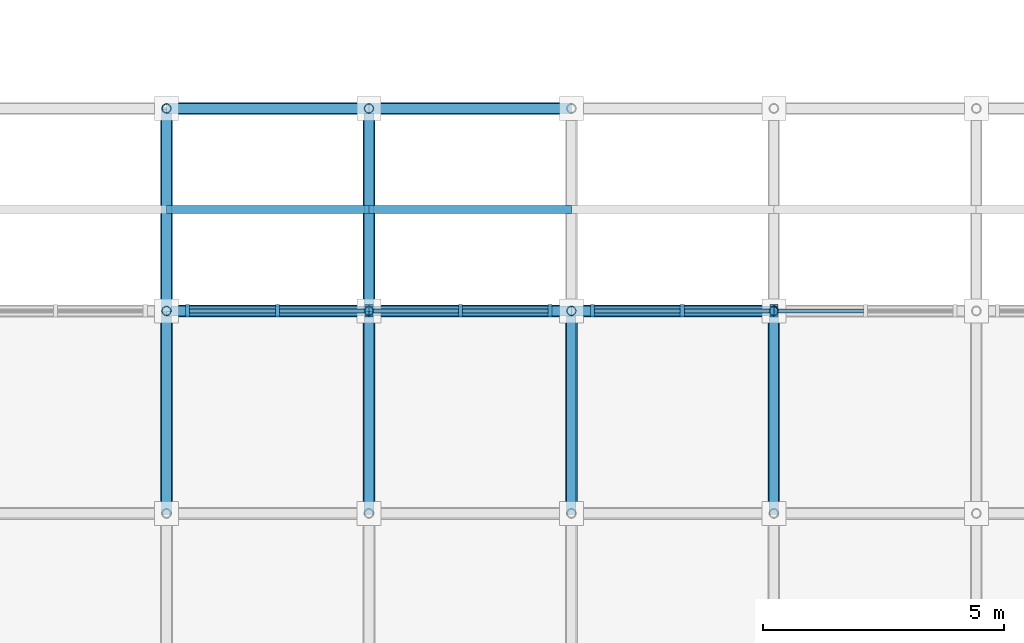
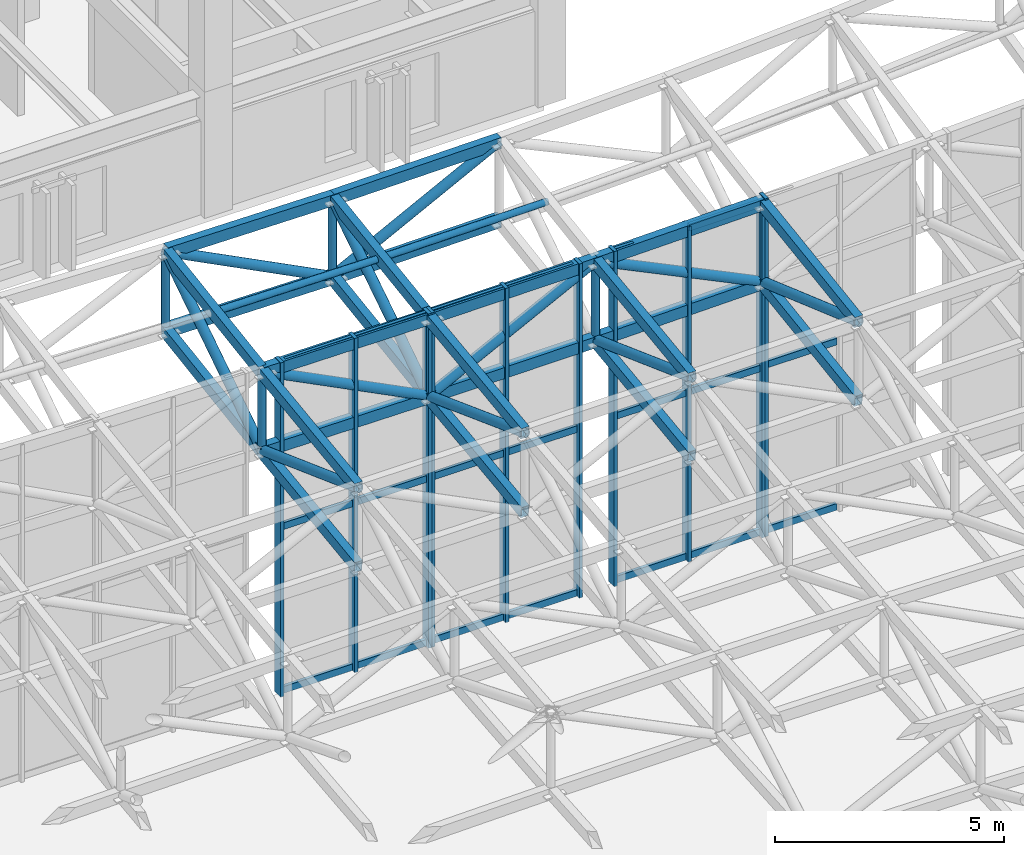
# One storey, part 56 of 123: 71 members, 4 elements without a shape of their own.
"""IFC4 building model written with IfcOpenShell, lengths in metres."""

from ifc_helpers import new_model, si_unit, direction, frame, origin, origin_2d, place, context, subcontext, project, spatial, rectangle, hollow_rectangle, hollow_circle, extrude, material, material_profile, profile_set, type_object, element, aggregate, save


model = new_model("IFC4")

# Units and contexts
model_context = context("Model", 3, precision=1e-05, world=origin(), true_north=direction((0.0, 1.0)))
body_context = subcontext(model_context, "Body", "Model", "MODEL_VIEW")
ifc_project = project(units=[si_unit("LENGTHUNIT", "METRE"), si_unit("AREAUNIT", "SQUARE_METRE"), si_unit("VOLUMEUNIT", "CUBIC_METRE"), si_unit("PLANEANGLEUNIT", "RADIAN"), si_unit("MASSUNIT", "GRAM", prefix="KILO")], contexts=[model_context])

# Site, building, storey
site_placement = place(None, origin())
site = spatial("IfcSite", under=ifc_project, at=site_placement, CompositionType="ELEMENT")
building_placement = place(site_placement, origin())
building = spatial("IfcBuilding", under=site, at=building_placement, Name="Cumbredor Promenade Congress Hotel", CompositionType="ELEMENT")
storey_placement = place(building_placement, frame((0.0, 0.0, 11.760009765625)))
storey = spatial("IfcBuildingStorey", under=building, at=storey_placement, Name="L03", CompositionType="ELEMENT", Elevation=11.760009765625)

# Members
ifc_material_1 = material(Name="Steel ASTM A500 Grade C", Category="steel")
ifc_material_profile_1 = material_profile(ifc_material_1, hollow_rectangle(XDim=0.199951171875, YDim=0.300048828125, WallThickness=0.012451171875, at=origin_2d()), Name="HSS 300x200x12.5")
ifc_profile_set_1 = profile_set([ifc_material_profile_1], Name="Steel ASTM A500 Grade C")
member_type_1 = type_object("IfcMemberType", Name="Ballroom Roof Space Frame Chord", PredefinedType="CHORD", material=ifc_profile_set_1)
for number, where, z_axis, x_axis, name in (
    (1, (159.60009765625, 67.199951171875, 8.7333984375), (0.999983105295, 0.0, -0.005812841396), (0.0, 1.0, 0.0), "Grand Ballroom Pavilion X Top Chord 6.17"),
    (2, (159.60009765625, 67.199951171875, 6.63330078125), (0.999983105295, 0.0, -0.005812841396), (0.0, 1.0, 0.0), "Grand Ballroom Pavilion X Bottom Chord 6.17"),
    (3, (163.800048828125, 67.199951171875, 8.708984375), (0.999983105295, 0.0, 0.005812841396), (0.0, 1.0, 0.0), "Grand Ballroom Pavilion X Top Chord 7.17"),
    (4, (163.800048828125, 67.199951171875, 6.60888671875), (0.999983105295, 0.0, 0.005812841396), (0.0, 1.0, 0.0), "Grand Ballroom Pavilion X Bottom Chord 7.17"),
):
    element("IfcMember", number, at=place(storey_placement, frame(where, z_axis=z_axis, x_axis=x_axis)), inside=storey, type_object=member_type_1, Name=name, PredefinedType="CHORD", context=body_context, shape_type="SweptSolid", body=[
        extrude(hollow_rectangle(XDim=0.199951171875, YDim=0.300048828125, WallThickness=0.012451171875, at=origin_2d()), origin(), (0.0, 0.0, 1.0), 4.199951171875),
    ])
for number, where, z_axis, x_axis, name in (
    (5, (168.0, 67.199951171875, 8.7333984375), (0.99984492355, 0.0, 0.017610475605), (0.0, 1.0, 0.0), "Grand Ballroom Pavilion X Top Chord 8.17"),
    (6, (168.0, 67.199951171875, 6.63330078125), (0.99984492355, 0.0, 0.017610475605), (0.0, 1.0, 0.0), "Grand Ballroom Pavilion X Bottom Chord 8.17"),
):
    element("IfcMember", number, at=place(storey_placement, frame(where, z_axis=z_axis, x_axis=x_axis)), inside=storey, type_object=member_type_1, Name=name, PredefinedType="CHORD", context=body_context, shape_type="SweptSolid", body=[
        extrude(hollow_rectangle(XDim=0.199951171875, YDim=0.300048828125, WallThickness=0.012451171875, at=origin_2d()), origin(), (0.0, 0.0, 1.0), 4.20068359375),
    ])
for number, where, z_axis, x_axis, name in (
    (7, (159.60009765625, 71.39990234375, 9.376220703125), (0.999937723598, 0.0, -0.011160148982), (0.0, 1.0, 0.0), "Grand Ballroom Pavilion X Top Chord 6.18"),
    (8, (159.60009765625, 71.39990234375, 7.276123046875), (0.999937723598, 0.0, -0.011160148982), (0.0, 1.0, 0.0), "Grand Ballroom Pavilion X Bottom Chord 6.18"),
    (9, (163.800048828125, 71.39990234375, 9.329345703125), (0.999937723598, 0.0, 0.011160148982), (0.0, 1.0, 0.0), "Grand Ballroom Pavilion X Top Chord 7.18"),
    (10, (163.800048828125, 71.39990234375, 7.229248046875), (0.999937723598, 0.0, 0.011160148982), (0.0, 1.0, 0.0), "Grand Ballroom Pavilion X Bottom Chord 7.18"),
):
    element("IfcMember", number, at=place(storey_placement, frame(where, z_axis=z_axis, x_axis=x_axis)), inside=storey, type_object=member_type_1, Name=name, PredefinedType="CHORD", context=body_context, shape_type="SweptSolid", body=[
        extrude(hollow_rectangle(XDim=0.199951171875, YDim=0.300048828125, WallThickness=0.012451171875, at=origin_2d()), origin(), (0.0, 0.0, 1.0), 4.2001953125),
    ])
for number, where, z_axis, x_axis, name in (
    (11, (159.60009765625, 63.0, 8.17236328125), (0.0, 0.99119566578, 0.13240525722), (-1.0, 0.0, 0.0), "Grand Ballroom Pavilion Y Top Chord 6.16"),
    (12, (159.60009765625, 63.0, 6.072509765625), (0.0, 0.991203225928, 0.13234864907), (-1.0, 0.0, 0.0), "Grand Ballroom Pavilion Y Bottom Chord 6.16"),
):
    element("IfcMember", number, at=place(storey_placement, frame(where, z_axis=z_axis, x_axis=x_axis)), inside=storey, type_object=member_type_1, Name=name, PredefinedType="CHORD", context=body_context, shape_type="SweptSolid", body=[
        extrude(hollow_rectangle(XDim=0.199951171875, YDim=0.300048828125, WallThickness=0.012451171875, at=origin_2d()), origin(), (0.0, 0.0, 1.0), 4.2373046875),
    ])
for number, where, z_axis, x_axis, name in (
    (13, (159.60009765625, 67.199951171875, 8.7333984375), (0.0, 0.988488979829, 0.151292884025), (-1.0, 0.0, 0.0), "Grand Ballroom Pavilion Y Top Chord 6.17"),
    (14, (159.60009765625, 67.199951171875, 6.63330078125), (0.0, 0.988488979829, 0.151292884025), (-1.0, 0.0, 0.0), "Grand Ballroom Pavilion Y Bottom Chord 6.17"),
):
    element("IfcMember", number, at=place(storey_placement, frame(where, z_axis=z_axis, x_axis=x_axis)), inside=storey, type_object=member_type_1, Name=name, PredefinedType="CHORD", context=body_context, shape_type="SweptSolid", body=[
        extrude(hollow_rectangle(XDim=0.199951171875, YDim=0.300048828125, WallThickness=0.012451171875, at=origin_2d()), origin(), (0.0, 0.0, 1.0), 4.248779296875),
    ])
for number, where, z_axis, x_axis, name in (
    (15, (163.800048828125, 63.0, 8.167236328125), (0.0, 0.991783294567, 0.127929264119), (-1.0, 0.0, 0.0), "Grand Ballroom Pavilion Y Top Chord 7.16"),
    (16, (163.800048828125, 63.0, 6.067138671875), (0.0, 0.991783294567, 0.127929264119), (-1.0, 0.0, 0.0), "Grand Ballroom Pavilion Y Bottom Chord 7.16"),
):
    element("IfcMember", number, at=place(storey_placement, frame(where, z_axis=z_axis, x_axis=x_axis)), inside=storey, type_object=member_type_1, Name=name, PredefinedType="CHORD", context=body_context, shape_type="SweptSolid", body=[
        extrude(hollow_rectangle(XDim=0.199951171875, YDim=0.300048828125, WallThickness=0.012451171875, at=origin_2d()), origin(), (0.0, 0.0, 1.0), 4.23486328125),
    ])
for number, where, z_axis, x_axis, name in (
    (17, (163.800048828125, 67.199951171875, 8.708984375), (0.0, 0.989266664707, 0.146121408767), (-1.0, 0.0, 0.0), "Grand Ballroom Pavilion Y Top Chord 7.17"),
    (18, (163.800048828125, 67.199951171875, 6.60888671875), (0.0, 0.989266664707, 0.146121408767), (-1.0, 0.0, 0.0), "Grand Ballroom Pavilion Y Bottom Chord 7.17"),
):
    element("IfcMember", number, at=place(storey_placement, frame(where, z_axis=z_axis, x_axis=x_axis)), inside=storey, type_object=member_type_1, Name=name, PredefinedType="CHORD", context=body_context, shape_type="SweptSolid", body=[
        extrude(hollow_rectangle(XDim=0.199951171875, YDim=0.300048828125, WallThickness=0.012451171875, at=origin_2d()), origin(), (0.0, 0.0, 1.0), 4.24560546875),
    ])
for number, where, z_axis, x_axis, name in (
    (19, (168.0, 63.0, 8.17236328125), (0.0, 0.99119566578, 0.13240525722), (-1.0, 0.0, 0.0), "Grand Ballroom Pavilion Y Top Chord 8.16"),
    (20, (168.0, 63.0, 6.072509765625), (0.0, 0.991203225928, 0.13234864907), (-1.0, 0.0, 0.0), "Grand Ballroom Pavilion Y Bottom Chord 8.16"),
):
    element("IfcMember", number, at=place(storey_placement, frame(where, z_axis=z_axis, x_axis=x_axis)), inside=storey, type_object=member_type_1, Name=name, PredefinedType="CHORD", context=body_context, shape_type="SweptSolid", body=[
        extrude(hollow_rectangle(XDim=0.199951171875, YDim=0.300048828125, WallThickness=0.012451171875, at=origin_2d()), origin(), (0.0, 0.0, 1.0), 4.2373046875),
    ])
for number, where, z_axis, x_axis, name in (
    (21, (172.199951171875, 63.0, 8.1884765625), (0.0, 0.989316485131, 0.145783717364), (-1.0, 0.0, 0.0), "Grand Ballroom Pavilion Y Top Chord 9.16"),
    (22, (172.199951171875, 63.0, 6.088623046875), (0.0, 0.989324777815, 0.145727430505), (-1.0, 0.0, 0.0), "Grand Ballroom Pavilion Y Bottom Chord 9.16"),
):
    element("IfcMember", number, at=place(storey_placement, frame(where, z_axis=z_axis, x_axis=x_axis)), inside=storey, type_object=member_type_1, Name=name, PredefinedType="CHORD", context=body_context, shape_type="SweptSolid", body=[
        extrude(hollow_rectangle(XDim=0.199951171875, YDim=0.300048828125, WallThickness=0.012451171875, at=origin_2d()), origin(), (0.0, 0.0, 1.0), 4.245361328125),
    ])

# Curtain wall, members
ifc_material_2 = material(Name="Thermally broken anodized aluminium and low-E glass", Category="aluminium")
curtain_wall_type = type_object("IfcCurtainWallType", Name="Stepped Pavilion Clerestory Curtain Wall CW-06", PredefinedType="NOTDEFINED", material=ifc_material_2)
curtain_wall_1_placement = place(storey_placement, origin())
curtain_wall_1 = element("IfcCurtainWall", 23, at=curtain_wall_1_placement, inside=storey, type_object=curtain_wall_type, Name="Grand Ballroom Pavilion N Glazed Clerestory 5", PredefinedType="NOTDEFINED")
ifc_material_3 = material(Name="Thermally broken anodized aluminium", Category="aluminium")
ifc_material_profile_2 = material_profile(ifc_material_3, rectangle(XDim=0.0849609375, YDim=0.260009765625, at=origin_2d()), Name="ALU MULLION CLERESTORY 85x260")
ifc_profile_set_2 = profile_set([ifc_material_profile_2], Name="Thermally broken anodized aluminium")
member_type_2 = type_object("IfcMemberType", Name="Curtain Wall Mullion ML-04", PredefinedType="MULLION", material=ifc_profile_set_2)
member_1_placement = place(storey_placement, frame((160.0400390625, 67.199951171875, -0.01806640625), z_axis=(0.0, 0.0, 1.0), x_axis=(1.0, 0.0, 0.0)))
member_1 = element("IfcMember", 24, at=member_1_placement, type_object=member_type_2, Name="Grand Ballroom Pavilion N Glazed Clerestory 5 Mullion 1", PredefinedType="MULLION", context=body_context, shape_type="SweptSolid", body=[
    extrude(rectangle(XDim=0.0849609375, YDim=0.260009765625, at=origin_2d()), origin(), (0.0, 0.0, 1.0), 8.903076171875),
])
member_2_placement = place(storey_placement, frame((161.89990234375, 67.199951171875, -0.01806640625), z_axis=(0.0, 0.0, 1.0), x_axis=(1.0, 0.0, 0.0)))
member_2 = element("IfcMember", 25, at=member_2_placement, type_object=member_type_2, Name="Grand Ballroom Pavilion N Glazed Clerestory 5 Mullion 2", PredefinedType="MULLION", context=body_context, shape_type="SweptSolid", body=[
    extrude(rectangle(XDim=0.0849609375, YDim=0.260009765625, at=origin_2d()), origin(), (0.0, 0.0, 1.0), 8.903076171875),
])
member_3_placement = place(storey_placement, frame((163.760009765625, 67.199951171875, -0.01806640625), z_axis=(0.0, 0.0, 1.0), x_axis=(1.0, 0.0, 0.0)))
member_3 = element("IfcMember", 26, at=member_3_placement, type_object=member_type_2, Name="Grand Ballroom Pavilion N Glazed Clerestory 5 Mullion 3", PredefinedType="MULLION", context=body_context, shape_type="SweptSolid", body=[
    extrude(rectangle(XDim=0.0849609375, YDim=0.260009765625, at=origin_2d()), origin(), (0.0, 0.0, 1.0), 8.903076171875),
])

curtain_wall_2_placement = place(storey_placement, origin())
curtain_wall_2 = element("IfcCurtainWall", 27, at=curtain_wall_2_placement, inside=storey, type_object=curtain_wall_type, Name="Grand Ballroom Pavilion N Glazed Clerestory 6", PredefinedType="NOTDEFINED")
member_4_placement = place(storey_placement, frame((163.840087890625, 67.199951171875, -0.01806640625), z_axis=(0.0, 0.0, 1.0), x_axis=(1.0, 0.0, 0.0)))
member_4 = element("IfcMember", 28, at=member_4_placement, type_object=member_type_2, Name="Grand Ballroom Pavilion N Glazed Clerestory 6 Mullion 1", PredefinedType="MULLION", context=body_context, shape_type="SweptSolid", body=[
    extrude(rectangle(XDim=0.0849609375, YDim=0.260009765625, at=origin_2d()), origin(), (0.0, 0.0, 1.0), 8.903076171875),
])
member_5_placement = place(storey_placement, frame((165.699951171875, 67.199951171875, -0.01806640625), z_axis=(0.0, 0.0, 1.0), x_axis=(1.0, 0.0, 0.0)))
member_5 = element("IfcMember", 29, at=member_5_placement, type_object=member_type_2, Name="Grand Ballroom Pavilion N Glazed Clerestory 6 Mullion 2", PredefinedType="MULLION", context=body_context, shape_type="SweptSolid", body=[
    extrude(rectangle(XDim=0.0849609375, YDim=0.260009765625, at=origin_2d()), origin(), (0.0, 0.0, 1.0), 8.903076171875),
])
member_6_placement = place(storey_placement, frame((167.56005859375, 67.199951171875, -0.01806640625), z_axis=(0.0, 0.0, 1.0), x_axis=(1.0, 0.0, 0.0)))
member_6 = element("IfcMember", 30, at=member_6_placement, type_object=member_type_2, Name="Grand Ballroom Pavilion N Glazed Clerestory 6 Mullion 3", PredefinedType="MULLION", context=body_context, shape_type="SweptSolid", body=[
    extrude(rectangle(XDim=0.0849609375, YDim=0.260009765625, at=origin_2d()), origin(), (0.0, 0.0, 1.0), 8.903076171875),
])

curtain_wall_3_placement = place(storey_placement, origin())
curtain_wall_3 = element("IfcCurtainWall", 31, at=curtain_wall_3_placement, inside=storey, type_object=curtain_wall_type, Name="Grand Ballroom Pavilion N Glazed Clerestory 7", PredefinedType="NOTDEFINED")
member_7_placement = place(storey_placement, frame((168.43994140625, 67.199951171875, -0.01806640625), z_axis=(0.0, 0.0, 1.0), x_axis=(1.0, 0.0, 0.0)))
member_7 = element("IfcMember", 32, at=member_7_placement, type_object=member_type_2, Name="Grand Ballroom Pavilion N Glazed Clerestory 7 Mullion 1", PredefinedType="MULLION", context=body_context, shape_type="SweptSolid", body=[
    extrude(rectangle(XDim=0.0849609375, YDim=0.260009765625, at=origin_2d()), origin(), (0.0, 0.0, 1.0), 8.927490234375),
])
member_8_placement = place(storey_placement, frame((170.300048828125, 67.199951171875, -0.01806640625), z_axis=(0.0, 0.0, 1.0), x_axis=(1.0, 0.0, 0.0)))
member_8 = element("IfcMember", 33, at=member_8_placement, type_object=member_type_2, Name="Grand Ballroom Pavilion N Glazed Clerestory 7 Mullion 2", PredefinedType="MULLION", context=body_context, shape_type="SweptSolid", body=[
    extrude(rectangle(XDim=0.0849609375, YDim=0.260009765625, at=origin_2d()), origin(), (0.0, 0.0, 1.0), 8.927490234375),
])
member_9_placement = place(storey_placement, frame((172.159912109375, 67.199951171875, -0.01806640625), z_axis=(0.0, 0.0, 1.0), x_axis=(1.0, 0.0, 0.0)))
member_9 = element("IfcMember", 34, at=member_9_placement, type_object=member_type_2, Name="Grand Ballroom Pavilion N Glazed Clerestory 7 Mullion 3", PredefinedType="MULLION", context=body_context, shape_type="SweptSolid", body=[
    extrude(rectangle(XDim=0.0849609375, YDim=0.260009765625, at=origin_2d()), origin(), (0.0, 0.0, 1.0), 8.927490234375),
])

# Curtain wall, member
curtain_wall_4_placement = place(storey_placement, origin())
curtain_wall_4 = element("IfcCurtainWall", 35, at=curtain_wall_4_placement, inside=storey, type_object=curtain_wall_type, Name="Grand Ballroom Pavilion N Glazed Clerestory 8", PredefinedType="NOTDEFINED")
member_10_placement = place(storey_placement, frame((172.239990234375, 67.199951171875, -0.01806640625), z_axis=(0.0, 0.0, 1.0), x_axis=(1.0, 0.0, 0.0)))
member_10 = element("IfcMember", 36, at=member_10_placement, type_object=member_type_2, Name="Grand Ballroom Pavilion N Glazed Clerestory 8 Mullion 1", PredefinedType="MULLION", context=body_context, shape_type="SweptSolid", body=[
    extrude(rectangle(XDim=0.0849609375, YDim=0.260009765625, at=origin_2d()), origin(), (0.0, 0.0, 1.0), 9.00146484375),
])

# Member
ifc_material_profile_3 = material_profile(ifc_material_3, rectangle(XDim=0.080078125, YDim=0.179931640625, at=origin_2d()), Name="ALU TRANSOM 80x180")
ifc_profile_set_3 = profile_set([ifc_material_profile_3], Name="Thermally broken anodized aluminium")
member_type_3 = type_object("IfcMemberType", Name="Curtain Wall Transom TR-03", PredefinedType="USERDEFINED", material=ifc_profile_set_3)
member_11_placement = place(storey_placement, frame((160.08251953125, 67.199951171875, 0.080078125), z_axis=(1.0, 0.0, 0.0), x_axis=(0.0, 1.0, 0.0)))
member_11 = element("IfcMember", 37, at=member_11_placement, type_object=member_type_3, Name="Grand Ballroom Pavilion N Glazed Clerestory 5 Transom 1.1", ObjectType="TRANSOM", PredefinedType="USERDEFINED", context=body_context, shape_type="SweptSolid", body=[
    extrude(rectangle(XDim=0.080078125, YDim=0.179931640625, at=origin_2d()), origin(), (0.0, 0.0, 1.0), 1.77490234375),
])

member_12_placement = place(storey_placement, frame((160.08251953125, 67.199951171875, 4.43994140625), z_axis=(1.0, 0.0, 0.0), x_axis=(0.0, 1.0, 0.0)))
member_12 = element("IfcMember", 38, at=member_12_placement, type_object=member_type_3, Name="Grand Ballroom Pavilion N Glazed Clerestory 5 Transom 1.2", ObjectType="TRANSOM", PredefinedType="USERDEFINED", context=body_context, shape_type="SweptSolid", body=[
    extrude(rectangle(XDim=0.080078125, YDim=0.179931640625, at=origin_2d()), origin(), (0.0, 0.0, 1.0), 1.77490234375),
])

member_13_placement = place(storey_placement, frame((160.08251953125, 67.199951171875, 8.7900390625), z_axis=(1.0, 0.0, 0.0), x_axis=(0.0, 1.0, 0.0)))
member_13 = element("IfcMember", 39, at=member_13_placement, type_object=member_type_3, Name="Grand Ballroom Pavilion N Glazed Clerestory 5 Transom 1.3", ObjectType="TRANSOM", PredefinedType="USERDEFINED", context=body_context, shape_type="SweptSolid", body=[
    extrude(rectangle(XDim=0.080078125, YDim=0.179931640625, at=origin_2d()), origin(), (0.0, 0.0, 1.0), 1.77490234375),
])

member_14_placement = place(storey_placement, frame((161.9423828125, 67.199951171875, 0.080078125), z_axis=(1.0, 0.0, 0.0), x_axis=(0.0, 1.0, 0.0)))
member_14 = element("IfcMember", 40, at=member_14_placement, type_object=member_type_3, Name="Grand Ballroom Pavilion N Glazed Clerestory 5 Transom 2.1", ObjectType="TRANSOM", PredefinedType="USERDEFINED", context=body_context, shape_type="SweptSolid", body=[
    extrude(rectangle(XDim=0.080078125, YDim=0.179931640625, at=origin_2d()), origin(), (0.0, 0.0, 1.0), 1.775146484375),
])

member_15_placement = place(storey_placement, frame((161.9423828125, 67.199951171875, 4.43994140625), z_axis=(1.0, 0.0, 0.0), x_axis=(0.0, 1.0, 0.0)))
member_15 = element("IfcMember", 41, at=member_15_placement, type_object=member_type_3, Name="Grand Ballroom Pavilion N Glazed Clerestory 5 Transom 2.2", ObjectType="TRANSOM", PredefinedType="USERDEFINED", context=body_context, shape_type="SweptSolid", body=[
    extrude(rectangle(XDim=0.080078125, YDim=0.179931640625, at=origin_2d()), origin(), (0.0, 0.0, 1.0), 1.775146484375),
])

member_16_placement = place(storey_placement, frame((161.9423828125, 67.199951171875, 8.7900390625), z_axis=(1.0, 0.0, 0.0), x_axis=(0.0, 1.0, 0.0)))
member_16 = element("IfcMember", 42, at=member_16_placement, type_object=member_type_3, Name="Grand Ballroom Pavilion N Glazed Clerestory 5 Transom 2.3", ObjectType="TRANSOM", PredefinedType="USERDEFINED", context=body_context, shape_type="SweptSolid", body=[
    extrude(rectangle(XDim=0.080078125, YDim=0.179931640625, at=origin_2d()), origin(), (0.0, 0.0, 1.0), 1.775146484375),
])

aggregate(curtain_wall_1, [member_1, member_2, member_3, member_11, member_12, member_13, member_14, member_15, member_16])

member_17_placement = place(storey_placement, frame((163.882568359375, 67.199951171875, 0.080078125), z_axis=(1.0, 0.0, 0.0), x_axis=(0.0, 1.0, 0.0)))
member_17 = element("IfcMember", 43, at=member_17_placement, type_object=member_type_3, Name="Grand Ballroom Pavilion N Glazed Clerestory 6 Transom 1.1", ObjectType="TRANSOM", PredefinedType="USERDEFINED", context=body_context, shape_type="SweptSolid", body=[
    extrude(rectangle(XDim=0.080078125, YDim=0.179931640625, at=origin_2d()), origin(), (0.0, 0.0, 1.0), 1.77490234375),
])

member_18_placement = place(storey_placement, frame((163.882568359375, 67.199951171875, 4.43994140625), z_axis=(1.0, 0.0, 0.0), x_axis=(0.0, 1.0, 0.0)))
member_18 = element("IfcMember", 44, at=member_18_placement, type_object=member_type_3, Name="Grand Ballroom Pavilion N Glazed Clerestory 6 Transom 1.2", ObjectType="TRANSOM", PredefinedType="USERDEFINED", context=body_context, shape_type="SweptSolid", body=[
    extrude(rectangle(XDim=0.080078125, YDim=0.179931640625, at=origin_2d()), origin(), (0.0, 0.0, 1.0), 1.77490234375),
])

member_19_placement = place(storey_placement, frame((163.882568359375, 67.199951171875, 8.7900390625), z_axis=(1.0, 0.0, 0.0), x_axis=(0.0, 1.0, 0.0)))
member_19 = element("IfcMember", 45, at=member_19_placement, type_object=member_type_3, Name="Grand Ballroom Pavilion N Glazed Clerestory 6 Transom 1.3", ObjectType="TRANSOM", PredefinedType="USERDEFINED", context=body_context, shape_type="SweptSolid", body=[
    extrude(rectangle(XDim=0.080078125, YDim=0.179931640625, at=origin_2d()), origin(), (0.0, 0.0, 1.0), 1.77490234375),
])

member_20_placement = place(storey_placement, frame((165.742431640625, 67.199951171875, 0.080078125), z_axis=(1.0, 0.0, 0.0), x_axis=(0.0, 1.0, 0.0)))
member_20 = element("IfcMember", 46, at=member_20_placement, type_object=member_type_3, Name="Grand Ballroom Pavilion N Glazed Clerestory 6 Transom 2.1", ObjectType="TRANSOM", PredefinedType="USERDEFINED", context=body_context, shape_type="SweptSolid", body=[
    extrude(rectangle(XDim=0.080078125, YDim=0.179931640625, at=origin_2d()), origin(), (0.0, 0.0, 1.0), 1.775146484375),
])

member_21_placement = place(storey_placement, frame((165.742431640625, 67.199951171875, 4.43994140625), z_axis=(1.0, 0.0, 0.0), x_axis=(0.0, 1.0, 0.0)))
member_21 = element("IfcMember", 47, at=member_21_placement, type_object=member_type_3, Name="Grand Ballroom Pavilion N Glazed Clerestory 6 Transom 2.2", ObjectType="TRANSOM", PredefinedType="USERDEFINED", context=body_context, shape_type="SweptSolid", body=[
    extrude(rectangle(XDim=0.080078125, YDim=0.179931640625, at=origin_2d()), origin(), (0.0, 0.0, 1.0), 1.775146484375),
])

member_22_placement = place(storey_placement, frame((165.742431640625, 67.199951171875, 8.7900390625), z_axis=(1.0, 0.0, 0.0), x_axis=(0.0, 1.0, 0.0)))
member_22 = element("IfcMember", 48, at=member_22_placement, type_object=member_type_3, Name="Grand Ballroom Pavilion N Glazed Clerestory 6 Transom 2.3", ObjectType="TRANSOM", PredefinedType="USERDEFINED", context=body_context, shape_type="SweptSolid", body=[
    extrude(rectangle(XDim=0.080078125, YDim=0.179931640625, at=origin_2d()), origin(), (0.0, 0.0, 1.0), 1.775146484375),
])

aggregate(curtain_wall_2, [member_4, member_5, member_6, member_17, member_18, member_19, member_20, member_21, member_22])

member_23_placement = place(storey_placement, frame((168.482421875, 67.199951171875, 0.080078125), z_axis=(1.0, 0.0, 0.0), x_axis=(0.0, 1.0, 0.0)))
member_23 = element("IfcMember", 49, at=member_23_placement, type_object=member_type_3, Name="Grand Ballroom Pavilion N Glazed Clerestory 7 Transom 1.1", ObjectType="TRANSOM", PredefinedType="USERDEFINED", context=body_context, shape_type="SweptSolid", body=[
    extrude(rectangle(XDim=0.080078125, YDim=0.179931640625, at=origin_2d()), origin(), (0.0, 0.0, 1.0), 1.775146484375),
])

member_24_placement = place(storey_placement, frame((168.482421875, 67.199951171875, 4.43994140625), z_axis=(1.0, 0.0, 0.0), x_axis=(0.0, 1.0, 0.0)))
member_24 = element("IfcMember", 50, at=member_24_placement, type_object=member_type_3, Name="Grand Ballroom Pavilion N Glazed Clerestory 7 Transom 1.2", ObjectType="TRANSOM", PredefinedType="USERDEFINED", context=body_context, shape_type="SweptSolid", body=[
    extrude(rectangle(XDim=0.080078125, YDim=0.179931640625, at=origin_2d()), origin(), (0.0, 0.0, 1.0), 1.775146484375),
])

member_25_placement = place(storey_placement, frame((168.482421875, 67.199951171875, 8.81005859375), z_axis=(1.0, 0.0, 0.0), x_axis=(0.0, 1.0, 0.0)))
member_25 = element("IfcMember", 51, at=member_25_placement, type_object=member_type_3, Name="Grand Ballroom Pavilion N Glazed Clerestory 7 Transom 1.3", ObjectType="TRANSOM", PredefinedType="USERDEFINED", context=body_context, shape_type="SweptSolid", body=[
    extrude(rectangle(XDim=0.080078125, YDim=0.179931640625, at=origin_2d()), origin(), (0.0, 0.0, 1.0), 1.775146484375),
])

member_26_placement = place(storey_placement, frame((170.342529296875, 67.199951171875, 0.080078125), z_axis=(1.0, 0.0, 0.0), x_axis=(0.0, 1.0, 0.0)))
member_26 = element("IfcMember", 52, at=member_26_placement, type_object=member_type_3, Name="Grand Ballroom Pavilion N Glazed Clerestory 7 Transom 2.1", ObjectType="TRANSOM", PredefinedType="USERDEFINED", context=body_context, shape_type="SweptSolid", body=[
    extrude(rectangle(XDim=0.080078125, YDim=0.179931640625, at=origin_2d()), origin(), (0.0, 0.0, 1.0), 1.77490234375),
])

member_27_placement = place(storey_placement, frame((170.342529296875, 67.199951171875, 4.43994140625), z_axis=(1.0, 0.0, 0.0), x_axis=(0.0, 1.0, 0.0)))
member_27 = element("IfcMember", 53, at=member_27_placement, type_object=member_type_3, Name="Grand Ballroom Pavilion N Glazed Clerestory 7 Transom 2.2", ObjectType="TRANSOM", PredefinedType="USERDEFINED", context=body_context, shape_type="SweptSolid", body=[
    extrude(rectangle(XDim=0.080078125, YDim=0.179931640625, at=origin_2d()), origin(), (0.0, 0.0, 1.0), 1.77490234375),
])

member_28_placement = place(storey_placement, frame((170.342529296875, 67.199951171875, 8.81005859375), z_axis=(1.0, 0.0, 0.0), x_axis=(0.0, 1.0, 0.0)))
member_28 = element("IfcMember", 54, at=member_28_placement, type_object=member_type_3, Name="Grand Ballroom Pavilion N Glazed Clerestory 7 Transom 2.3", ObjectType="TRANSOM", PredefinedType="USERDEFINED", context=body_context, shape_type="SweptSolid", body=[
    extrude(rectangle(XDim=0.080078125, YDim=0.179931640625, at=origin_2d()), origin(), (0.0, 0.0, 1.0), 1.77490234375),
])

aggregate(curtain_wall_3, [member_7, member_8, member_9, member_23, member_24, member_25, member_26, member_27, member_28])

member_29_placement = place(storey_placement, frame((172.282470703125, 67.199951171875, 0.080078125), z_axis=(1.0, 0.0, 0.0), x_axis=(0.0, 1.0, 0.0)))
member_29 = element("IfcMember", 55, at=member_29_placement, type_object=member_type_3, Name="Grand Ballroom Pavilion N Glazed Clerestory 8 Transom 1.1", ObjectType="TRANSOM", PredefinedType="USERDEFINED", context=body_context, shape_type="SweptSolid", body=[
    extrude(rectangle(XDim=0.080078125, YDim=0.179931640625, at=origin_2d()), origin(), (0.0, 0.0, 1.0), 1.775146484375),
])

member_30_placement = place(storey_placement, frame((172.282470703125, 67.199951171875, 4.47998046875), z_axis=(1.0, 0.0, 0.0), x_axis=(0.0, 1.0, 0.0)))
member_30 = element("IfcMember", 56, at=member_30_placement, type_object=member_type_3, Name="Grand Ballroom Pavilion N Glazed Clerestory 8 Transom 1.2", ObjectType="TRANSOM", PredefinedType="USERDEFINED", context=body_context, shape_type="SweptSolid", body=[
    extrude(rectangle(XDim=0.080078125, YDim=0.179931640625, at=origin_2d()), origin(), (0.0, 0.0, 1.0), 1.775146484375),
])

aggregate(curtain_wall_4, [member_10, member_29, member_30])

# Members
ifc_material_profile_4 = material_profile(ifc_material_1, hollow_circle(Radius=0.084228515625, WallThickness=0.010009765625, at=origin_2d()), Name="CHS 168.3x10")
ifc_profile_set_4 = profile_set([ifc_material_profile_4], Name="Steel ASTM A500 Grade C")
member_type_4 = type_object("IfcMemberType", Name="Roof Purlin CHS168", PredefinedType="PURLIN", material=ifc_profile_set_4)
for number, where, z_axis, x_axis, name in (
    (57, (159.60009765625, 69.300048828125, 9.034912109375), (0.999963988279, 0.0, -0.008486586194), (0.0, 1.0, 0.0), "Grand Ballroom Pavilion Roof Eave Purlin 6.17"),
    (58, (163.800048828125, 69.300048828125, 8.999267578125), (0.999963988279, 0.0, 0.008486586194), (0.0, 1.0, 0.0), "Grand Ballroom Pavilion Roof Eave Purlin 7.17"),
):
    element("IfcMember", number, at=place(storey_placement, frame(where, z_axis=z_axis, x_axis=x_axis)), inside=storey, type_object=member_type_4, Name=name, PredefinedType="PURLIN", context=body_context, shape_type="SweptSolid", body=[
        extrude(hollow_circle(Radius=0.084228515625, WallThickness=0.010009765625, at=origin_2d()), origin(), (0.0, 0.0, 1.0), 4.2001953125),
    ])
ifc_material_profile_5 = material_profile(ifc_material_1, hollow_circle(Radius=0.122314453125, WallThickness=0.012451171875, at=origin_2d()), Name="CHS 244.5x12.5")
ifc_profile_set_5 = profile_set([ifc_material_profile_5], Name="Steel ASTM A500 Grade C")
member_type_5 = type_object("IfcMemberType", Name="Space Frame Web Diagonal D2", PredefinedType="BRACE", material=ifc_profile_set_5)
for number, where, z_axis, x_axis, name in (
    (59, (159.60009765625, 67.199951171875, 8.7333984375), (0.892332264786, 0.0, -0.451379141323), (0.0, 1.0, 0.0), "Grand Ballroom Pavilion X Web Diagonal 6.17"),
    (60, (163.800048828125, 67.199951171875, 6.60888671875), (0.892332264786, 0.0, 0.451379141323), (0.0, 1.0, 0.0), "Grand Ballroom Pavilion X Web Diagonal 7.17"),
):
    element("IfcMember", number, at=place(storey_placement, frame(where, z_axis=z_axis, x_axis=x_axis)), inside=storey, type_object=member_type_5, Name=name, PredefinedType="BRACE", context=body_context, shape_type="SweptSolid", body=[
        extrude(hollow_circle(Radius=0.122314453125, WallThickness=0.012451171875, at=origin_2d()), origin(), (0.0, 0.0, 1.0), 4.706787109375),
    ])
member_31_placement = place(storey_placement, frame((168.0, 67.199951171875, 8.7333984375), z_axis=(0.900672468658, 0.0, -0.434498681474), x_axis=(0.0, 1.0, 0.0)))
element("IfcMember", 61, at=member_31_placement, inside=storey, type_object=member_type_5, Name="Grand Ballroom Pavilion X Web Diagonal 8.17", PredefinedType="BRACE", context=body_context, shape_type="SweptSolid", body=[
    extrude(hollow_circle(Radius=0.122314453125, WallThickness=0.012451171875, at=origin_2d()), origin(), (0.0, 0.0, 1.0), 4.6630859375),
])
for number, where, z_axis, x_axis, name in (
    (62, (159.60009765625, 71.39990234375, 9.376220703125), (0.890406247583, 0.0, -0.45516668844), (0.0, 1.0, 0.0), "Grand Ballroom Pavilion X Web Diagonal 6.18"),
    (63, (163.800048828125, 71.39990234375, 7.229248046875), (0.890406247583, 0.0, 0.45516668844), (0.0, 1.0, 0.0), "Grand Ballroom Pavilion X Web Diagonal 7.18"),
):
    element("IfcMember", number, at=place(storey_placement, frame(where, z_axis=z_axis, x_axis=x_axis)), inside=storey, type_object=member_type_5, Name=name, PredefinedType="BRACE", context=body_context, shape_type="SweptSolid", body=[
        extrude(hollow_circle(Radius=0.122314453125, WallThickness=0.012451171875, at=origin_2d()), origin(), (0.0, 0.0, 1.0), 4.716796875),
    ])
member_32_placement = place(storey_placement, frame((159.60009765625, 63.0, 8.17236328125), z_axis=(0.0, 0.938942746151, -0.344073421597), x_axis=(-1.0, 0.0, 0.0)))
element("IfcMember", 64, at=member_32_placement, inside=storey, type_object=member_type_5, Name="Grand Ballroom Pavilion Y Web Diagonal 6.16", PredefinedType="BRACE", context=body_context, shape_type="SweptSolid", body=[
    extrude(hollow_circle(Radius=0.122314453125, WallThickness=0.012451171875, at=origin_2d()), origin(), (0.0, 0.0, 1.0), 4.47314453125),
])
member_33_placement = place(storey_placement, frame((159.60009765625, 67.199951171875, 6.63330078125), z_axis=(0.0, 0.837261864729, 0.546802130456), x_axis=(-1.0, 0.0, 0.0)))
element("IfcMember", 65, at=member_33_placement, inside=storey, type_object=member_type_5, Name="Grand Ballroom Pavilion Y Web Diagonal 6.17", PredefinedType="BRACE", context=body_context, shape_type="SweptSolid", body=[
    extrude(hollow_circle(Radius=0.122314453125, WallThickness=0.012451171875, at=origin_2d()), origin(), (0.0, 0.0, 1.0), 5.016357421875),
])
member_34_placement = place(storey_placement, frame((163.800048828125, 63.0, 8.167236328125), z_axis=(0.0, 0.937544145288, -0.347866318629), x_axis=(-1.0, 0.0, 0.0)))
element("IfcMember", 66, at=member_34_placement, inside=storey, type_object=member_type_5, Name="Grand Ballroom Pavilion Y Web Diagonal 7.16", PredefinedType="BRACE", context=body_context, shape_type="SweptSolid", body=[
    extrude(hollow_circle(Radius=0.122314453125, WallThickness=0.012451171875, at=origin_2d()), origin(), (0.0, 0.0, 1.0), 4.479736328125),
])
member_35_placement = place(storey_placement, frame((163.800048828125, 67.199951171875, 6.60888671875), z_axis=(0.0, 0.839310886858, 0.543651759127), x_axis=(-1.0, 0.0, 0.0)))
element("IfcMember", 67, at=member_35_placement, inside=storey, type_object=member_type_5, Name="Grand Ballroom Pavilion Y Web Diagonal 7.17", PredefinedType="BRACE", context=body_context, shape_type="SweptSolid", body=[
    extrude(hollow_circle(Radius=0.122314453125, WallThickness=0.012451171875, at=origin_2d()), origin(), (0.0, 0.0, 1.0), 5.004150390625),
])
member_36_placement = place(storey_placement, frame((168.0, 63.0, 8.17236328125), z_axis=(0.0, 0.938942746151, -0.344073421597), x_axis=(-1.0, 0.0, 0.0)))
element("IfcMember", 68, at=member_36_placement, inside=storey, type_object=member_type_5, Name="Grand Ballroom Pavilion Y Web Diagonal 8.16", PredefinedType="BRACE", context=body_context, shape_type="SweptSolid", body=[
    extrude(hollow_circle(Radius=0.122314453125, WallThickness=0.012451171875, at=origin_2d()), origin(), (0.0, 0.0, 1.0), 4.47314453125),
])
member_37_placement = place(storey_placement, frame((172.199951171875, 63.0, 8.1884765625), z_axis=(0.0, 0.943070259387, -0.332593574592), x_axis=(-1.0, 0.0, 0.0)))
element("IfcMember", 69, at=member_37_placement, inside=storey, type_object=member_type_5, Name="Grand Ballroom Pavilion Y Web Diagonal 9.16", PredefinedType="BRACE", context=body_context, shape_type="SweptSolid", body=[
    extrude(hollow_circle(Radius=0.122314453125, WallThickness=0.012451171875, at=origin_2d()), origin(), (0.0, 0.0, 1.0), 4.453369140625),
])
ifc_material_profile_6 = material_profile(ifc_material_1, hollow_circle(Radius=0.096923828125, WallThickness=0.010009765625, at=origin_2d()), Name="CHS 193.7x10")
ifc_profile_set_6 = profile_set([ifc_material_profile_6], Name="Steel ASTM A500 Grade C")
member_type_6 = type_object("IfcMemberType", Name="Space Frame Web Post P1", PredefinedType="BRACE", material=ifc_profile_set_6)
for number, where, z_axis, x_axis, name in (
    (70, (159.60009765625, 67.199951171875, 6.63330078125), (0.0, 0.0, 1.0), (1.0, 0.0, 0.0), "Grand Ballroom Pavilion Space Frame Web Post 6.17"),
    (71, (159.60009765625, 71.39990234375, 7.276123046875), (0.0, 0.0, 1.0), (1.0, 0.0, 0.0), "Grand Ballroom Pavilion Space Frame Web Post 6.18"),
    (72, (163.800048828125, 67.199951171875, 6.60888671875), (0.0, 0.0, 1.0), (1.0, 0.0, 0.0), "Grand Ballroom Pavilion Space Frame Web Post 7.17"),
    (73, (163.800048828125, 71.39990234375, 7.229248046875), (0.0, 0.0, 1.0), (1.0, 0.0, 0.0), "Grand Ballroom Pavilion Space Frame Web Post 7.18"),
    (74, (168.0, 67.199951171875, 6.63330078125), (0.0, 0.0, 1.0), (1.0, 0.0, 0.0), "Grand Ballroom Pavilion Space Frame Web Post 8.17"),
    (75, (172.199951171875, 67.199951171875, 6.707275390625), (0.0, 0.0, 1.0), (1.0, 0.0, 0.0), "Grand Ballroom Pavilion Space Frame Web Post 9.17"),
):
    element("IfcMember", number, at=place(storey_placement, frame(where, z_axis=z_axis, x_axis=x_axis)), inside=storey, type_object=member_type_6, Name=name, PredefinedType="BRACE", context=body_context, shape_type="SweptSolid", body=[
        extrude(hollow_circle(Radius=0.096923828125, WallThickness=0.010009765625, at=origin_2d()), origin(), (0.0, 0.0, 1.0), 2.10009765625),
    ])

save(model, "model.ifc")
